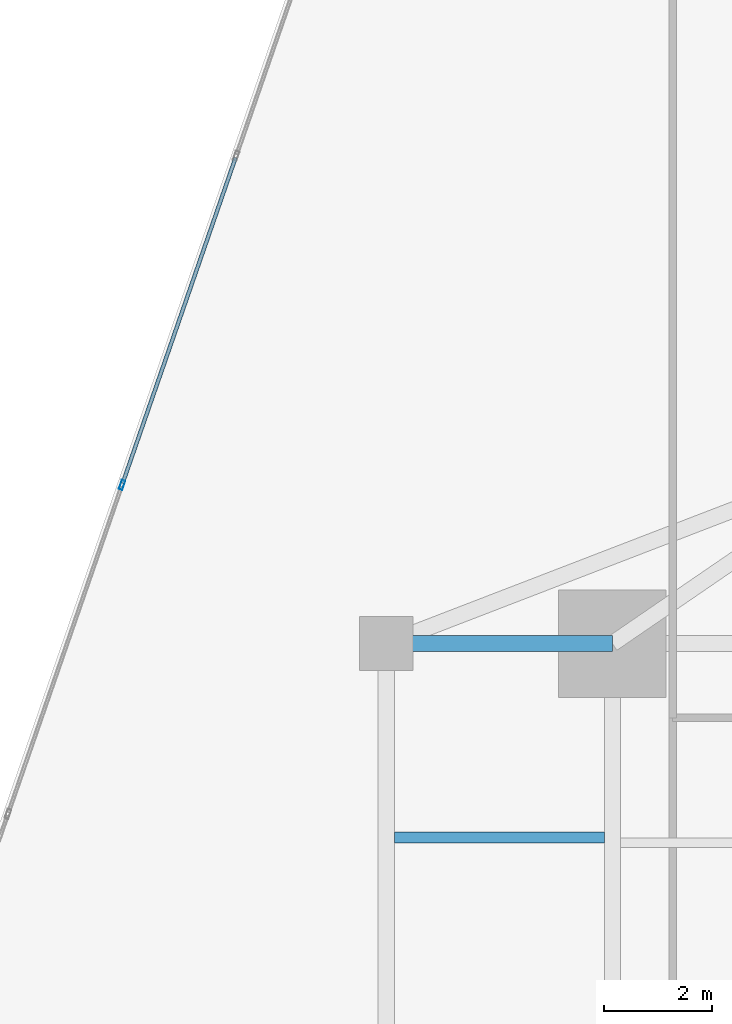
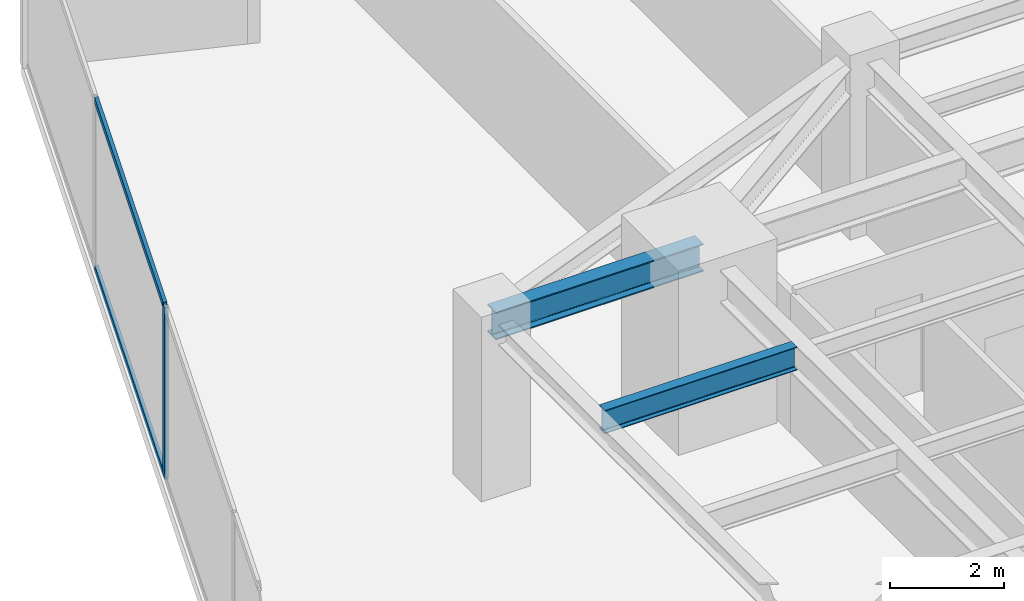
# One storey, part 15 of 27: 3 members, 2 beams, 1 element without a shape of its own.
"""IFC4 building model written with IfcOpenShell, lengths in metres."""

from ifc_helpers import new_model, si_unit, direction, frame, origin, origin_2d, place, context, subcontext, project, spatial, hollow_rectangle, i_section, extrude, source, transform, mapped, material, material_profile, profile_set, type_object, type_shapes, element, aggregate, save


model = new_model("IFC4")

# Units and contexts
model_context = context("Model", 3, precision=1e-05, world=origin(), true_north=direction((0.0, 1.0)))
body_context = subcontext(model_context, "Body", "Model", "MODEL_VIEW")
ifc_project = project(units=[si_unit("LENGTHUNIT", "METRE"), si_unit("AREAUNIT", "SQUARE_METRE"), si_unit("VOLUMEUNIT", "CUBIC_METRE"), si_unit("PLANEANGLEUNIT", "RADIAN"), si_unit("MASSUNIT", "GRAM", prefix="KILO")], contexts=[model_context])

# Site, building, storey
site_placement = place(None, origin())
site = spatial("IfcSite", under=ifc_project, at=site_placement, CompositionType="ELEMENT")
building_placement = place(site_placement, origin())
building = spatial("IfcBuilding", under=site, at=building_placement, Name="Krantzveldt Concourse Tower", CompositionType="ELEMENT")
storey_placement = place(building_placement, frame((0.0, 0.0, 121.64990234375)))
storey = spatial("IfcBuildingStorey", under=building, at=storey_placement, Name="L29", CompositionType="ELEMENT", Elevation=121.64990234375)

# Beams
ifc_material_1 = material(Name="Steel S355JR", Category="steel")
ifc_material_profile_1 = material_profile(ifc_material_1, i_section(OverallWidth=0.300048828125, OverallDepth=0.590087890625, WebThickness=0.012939453125, FlangeThickness=0.02490234375, FilletRadius=0.027099609375, at=origin_2d()), Name="Steel S355JR", Category="steel")
ifc_profile_set_1 = profile_set([ifc_material_profile_1], Name="Steel S355JR - HEA 600")
beam_type_1 = type_object("IfcBeamType", Name="BM-B-HEA600", PredefinedType="BEAM", material=ifc_profile_set_1)
shared_shape_1 = source(origin(), body_context, "Body", "SweptSolid", [
    extrude(i_section(OverallWidth=0.300048828125, OverallDepth=0.590087890625, WebThickness=0.012939453125, FlangeThickness=0.02490234375, FilletRadius=0.027099609375, at=origin_2d()), origin(), (0.0, 0.0, 1.0), 4.199951171875),
])
type_shapes(beam_type_1, [shared_shape_1])
beam_1_placement = place(storey_placement, frame((21.0, 37.5, 3.375), z_axis=(1.0, 0.0, 0.0), x_axis=(0.0, 1.0, 0.0)))
element("IfcBeam", 1, at=beam_1_placement, inside=storey, type_object=beam_type_1, Name="L29 Tower Girder BR-RL3", PredefinedType="BEAM", context=body_context, shape_type="MappedRepresentation", body=[
    mapped(shared_shape_1, transform((0.0, 0.0, 0.0), x_axis=(1.0, 0.0, 0.0), y_axis=(0.0, 1.0, 0.0), z_axis=(0.0, 0.0, 1.0), scale=1.0)),
])
ifc_material_profile_2 = material_profile(ifc_material_1, i_section(OverallWidth=0.199951171875, OverallDepth=0.5, WebThickness=0.01025390625, FlangeThickness=0.01611328125, FilletRadius=0.02099609375, at=origin_2d()), Name="Steel S355JR", Category="steel")
ifc_profile_set_2 = profile_set([ifc_material_profile_2], Name="Steel S355JR - IPE 500")
beam_type_2 = type_object("IfcBeamType", Name="BM-J-IPE500", PredefinedType="JOIST", material=ifc_profile_set_2)
shared_shape_2 = source(origin(), body_context, "Body", "SweptSolid", [
    extrude(i_section(OverallWidth=0.199951171875, OverallDepth=0.5, WebThickness=0.01025390625, FlangeThickness=0.01611328125, FilletRadius=0.02099609375, at=origin_2d()), origin(), (0.0, 0.0, 1.0), 3.900146484375),
])
type_shapes(beam_type_2, [shared_shape_2])
beam_2_placement = place(storey_placement, frame((21.14990234375, 33.89990234375, 3.420166015625), z_axis=(1.0, 0.0, 0.0), x_axis=(0.0, 1.0, 0.0)))
element("IfcBeam", 2, at=beam_2_placement, inside=storey, type_object=beam_type_2, Name="L29 Secondary Floor Joist JW-4", PredefinedType="JOIST", context=body_context, shape_type="MappedRepresentation", body=[
    mapped(shared_shape_2, transform((0.0, 0.0, 0.0), x_axis=(1.0, 0.0, 0.0), y_axis=(0.0, 1.0, 0.0), z_axis=(0.0, 0.0, 1.0), scale=1.0)),
])

# Curtain wall, members
ifc_material_2 = material(Name="Anodised aluminium 6063-T6", Category="aluminium")
curtain_wall_type = type_object("IfcCurtainWallType", Name="CW2", PredefinedType="USERDEFINED", material=ifc_material_2)
curtain_wall_placement = place(storey_placement, origin())
curtain_wall = element("IfcCurtainWall", 3, at=curtain_wall_placement, inside=storey, type_object=curtain_wall_type, Name="CW-L29-F01", ObjectType="UNITISED CURTAIN WALL", PredefinedType="USERDEFINED")
ifc_material_profile_3 = material_profile(ifc_material_2, hollow_rectangle(XDim=0.070068359375, YDim=0.179931640625, WallThickness=0.0048828125, at=origin_2d()), Name="Anodised aluminium 6063-T6", Category="aluminium")
ifc_profile_set_3 = profile_set([ifc_material_profile_3], Name="Anodised aluminium 6063-T6 - ALU-MULL 180x70x5")
member_type_1 = type_object("IfcMemberType", Name="CW-MUL-180", PredefinedType="MULLION", material=ifc_profile_set_3)
shared_shape_3 = source(origin(), body_context, "Body", "SweptSolid", [
    extrude(hollow_rectangle(XDim=0.070068359375, YDim=0.179931640625, WallThickness=0.0048828125, at=origin_2d()), origin(), (0.0, 0.0, 1.0), 3.670166015625),
])
type_shapes(member_type_1, [shared_shape_3])
member_1_placement = place(storey_placement, frame((16.09521484375, 40.44677734375, 0.0), z_axis=(0.0, 0.0, 1.0), x_axis=(0.944806041446, -0.32763019404, 0.0)))
member_1 = element("IfcMember", 4, at=member_1_placement, type_object=member_type_1, Name="CW-Z12 mullion 3", PredefinedType="MULLION", context=body_context, shape_type="MappedRepresentation", body=[
    mapped(shared_shape_3, transform((0.0, 0.0, 0.0), x_axis=(1.0, 0.0, 0.0), y_axis=(0.0, 1.0, 0.0), z_axis=(0.0, 0.0, 1.0), scale=1.0)),
])
ifc_material_profile_4 = material_profile(ifc_material_2, hollow_rectangle(XDim=0.070068359375, YDim=0.139892578125, WallThickness=0.0048828125, at=origin_2d()), Name="Anodised aluminium 6063-T6", Category="aluminium")
ifc_profile_set_4 = profile_set([ifc_material_profile_4], Name="Anodised aluminium 6063-T6 - ALU-TRAN 140x70x5")
member_type_2 = type_object("IfcMemberType", Name="CW-TRN-150", PredefinedType="USERDEFINED", material=ifc_profile_set_4)
shared_shape_4 = source(origin(), body_context, "Body", "SweptSolid", [
    extrude(hollow_rectangle(XDim=0.070068359375, YDim=0.139892578125, WallThickness=0.0048828125, at=origin_2d()), origin(), (0.0, 0.0, 1.0), 6.396484375),
])
type_shapes(member_type_2, [shared_shape_4])
member_2_placement = place(storey_placement, frame((18.202392578125, 46.5234375, 0.03515625), z_axis=(-0.327632258054, -0.944805325706, 0.0), x_axis=(0.944805325706, -0.327632258054, 0.0)))
member_2 = element("IfcMember", 5, at=member_2_placement, type_object=member_type_2, Name="CW-Z12 transom 2.1", ObjectType="TRANSOM", PredefinedType="USERDEFINED", context=body_context, shape_type="MappedRepresentation", body=[
    mapped(shared_shape_4, transform((0.0, 0.0, 0.0), x_axis=(1.0, 0.0, 0.0), y_axis=(0.0, 1.0, 0.0), z_axis=(0.0, 0.0, 1.0), scale=1.0)),
])
member_3_placement = place(storey_placement, frame((18.202392578125, 46.5234375, 3.635009765625), z_axis=(-0.327632258054, -0.944805325706, 0.0), x_axis=(0.944805325706, -0.327632258054, 0.0)))
member_3 = element("IfcMember", 6, at=member_3_placement, type_object=member_type_2, Name="CW-Z12 transom 2.2", ObjectType="TRANSOM", PredefinedType="USERDEFINED", context=body_context, shape_type="MappedRepresentation", body=[
    mapped(shared_shape_4, transform((0.0, 0.0, 0.0), x_axis=(1.0, 0.0, 0.0), y_axis=(0.0, 1.0, 0.0), z_axis=(0.0, 0.0, 1.0), scale=1.0)),
])
aggregate(curtain_wall, [member_1, member_2, member_3])

save(model, "model.ifc")
